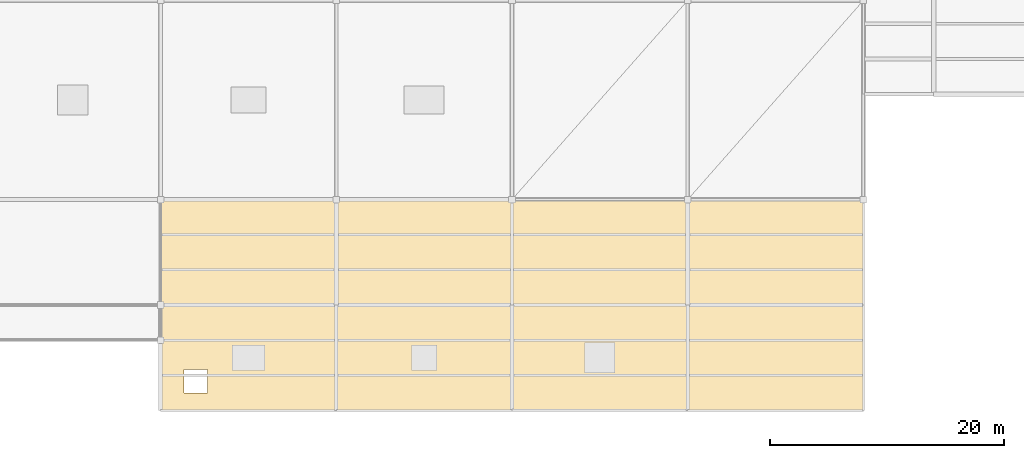
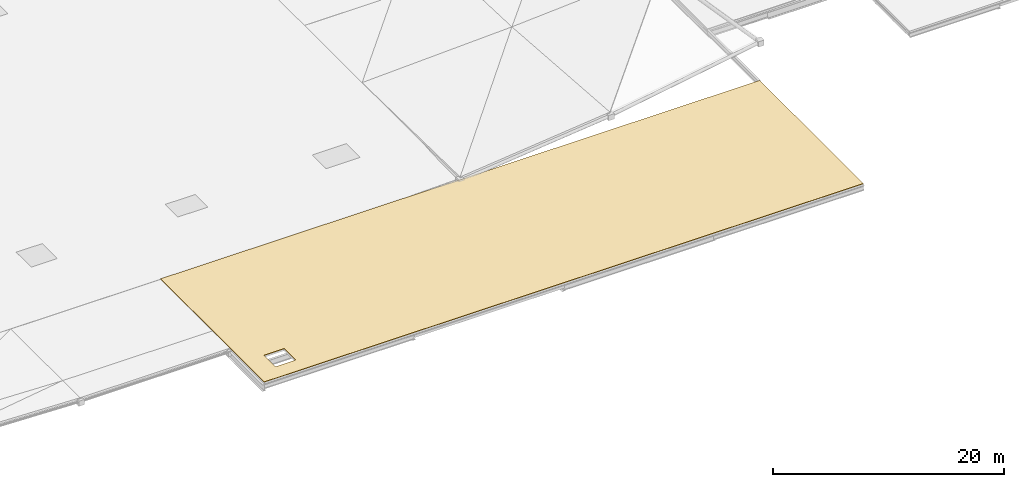
# One storey, part 59 of 69: 1 covering.
"""IFC4 building model written with IfcOpenShell, lengths in metres."""

from ifc_helpers import new_model, si_unit, direction, frame, origin, place, context, subcontext, project, spatial, polyline, outline, extrude, material, layer, layer_set, type_object, element, save


model = new_model("IFC4")

# Units and contexts
model_context = context("Model", 3, precision=1e-05, world=origin(), true_north=direction((0.0, 1.0)))
body_context = subcontext(model_context, "Body", "Model", "MODEL_VIEW")
ifc_project = project(units=[si_unit("LENGTHUNIT", "METRE"), si_unit("AREAUNIT", "SQUARE_METRE"), si_unit("VOLUMEUNIT", "CUBIC_METRE"), si_unit("PLANEANGLEUNIT", "RADIAN"), si_unit("MASSUNIT", "GRAM", prefix="KILO")], contexts=[model_context])

# Site, building, storey
site_placement = place(None, origin())
site = spatial("IfcSite", under=ifc_project, at=site_placement, CompositionType="ELEMENT")
building_placement = place(site_placement, origin())
building = spatial("IfcBuilding", under=site, at=building_placement, Name="Qamarlyn Nura Convention Centre", CompositionType="ELEMENT")
storey_placement = place(building_placement, frame((0.0, 0.0, 15.60009765625)))
storey = spatial("IfcBuildingStorey", under=building, at=storey_placement, Name="L03", CompositionType="ELEMENT", Elevation=15.60009765625)

# Covering
ifc_material = material(Name="High-albedo TPO cool-roof membrane")
ifc_layer = layer(ifc_material, 0.050048828125, Name="COV-ROOF-TPO")
ifc_layer_set = layer_set([ifc_layer], Name="High-albedo TPO cool-roof membrane")
covering_type = type_object("IfcCoveringType", Name="COV-ROOF-TPO", PredefinedType="ROOFING", material=ifc_layer_set)
covering_placement = place(storey_placement, origin())
element("IfcCovering", 1, at=covering_placement, inside=storey, type_object=covering_type, Name="L03 high-albedo TPO roof membrane ROOFSLAB-R-L03-SF1", PredefinedType="ROOFING", context=body_context, shape_type="SweptSolid", body=[
    extrude(outline(polyline([(60.0, 0.0), (60.0, 18.0), (120.0, 18.0), (120.0, 0.0), (60.0, 0.0)]), holes=[polyline([(64.0, 3.5), (62.0, 3.5), (62.0, 1.5), (64.0, 1.5), (64.0, 3.5)])]), origin(), (0.0, 0.0, 1.0), 0.0498046875),
])

save(model, "model.ifc")
